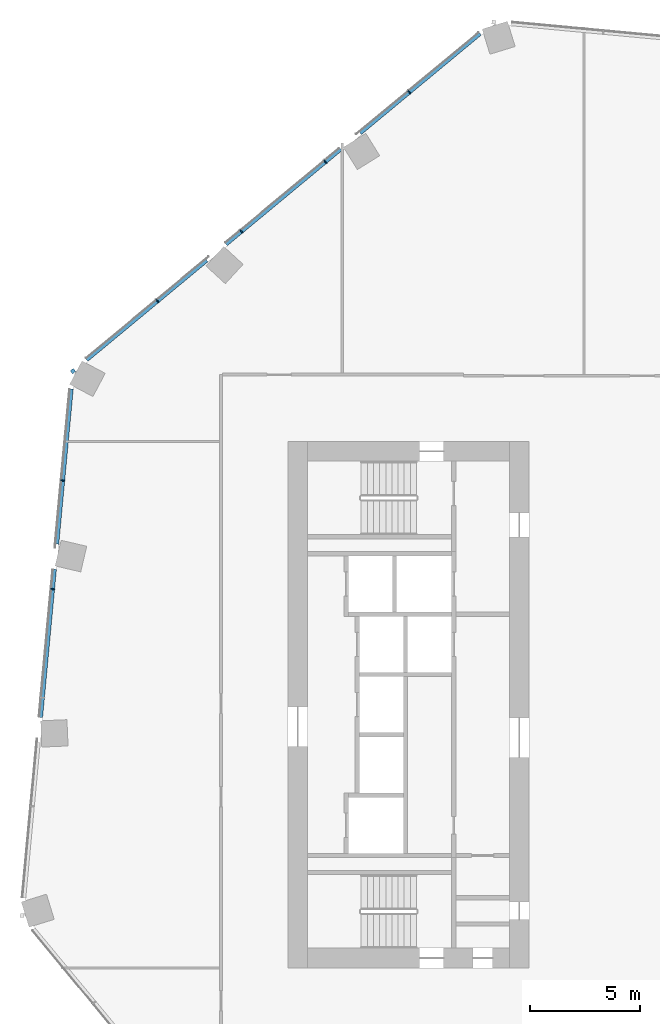
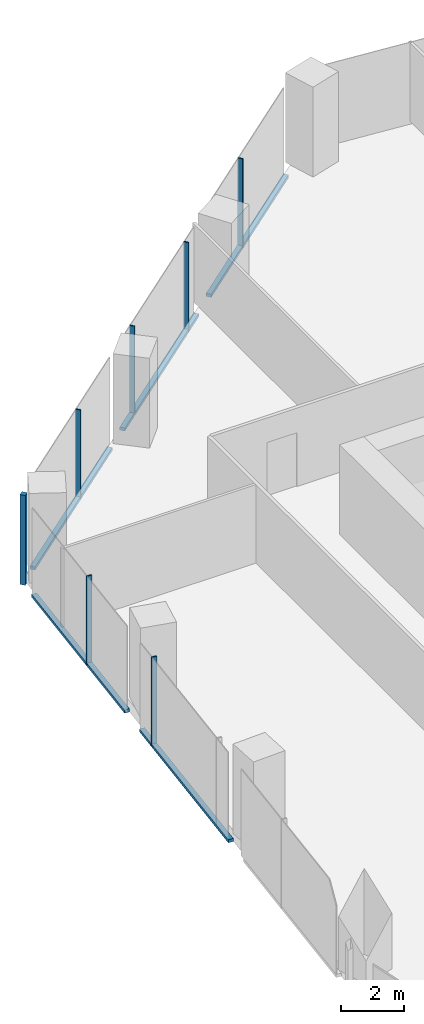
# One storey, part 10 of 24: 12 members, 2 elements without a shape of their own.
"""IFC4 building model written with IfcOpenShell, lengths in metres."""

from ifc_helpers import new_model, si_unit, direction, frame, origin, origin_2d, place, context, subcontext, project, spatial, rectangle, extrude, material, material_profile, profile_set, type_object, element, aggregate, save


model = new_model("IFC4")

# Units and contexts
model_context = context("Model", 3, precision=1e-05, world=origin(), true_north=direction((0.0, 1.0)))
body_context = subcontext(model_context, "Body", "Model", "MODEL_VIEW")
ifc_project = project(units=[si_unit("LENGTHUNIT", "METRE"), si_unit("AREAUNIT", "SQUARE_METRE"), si_unit("VOLUMEUNIT", "CUBIC_METRE"), si_unit("PLANEANGLEUNIT", "RADIAN"), si_unit("MASSUNIT", "GRAM", prefix="KILO")], contexts=[model_context])

# Site, building, storey
site_placement = place(None, origin())
site = spatial("IfcSite", under=ifc_project, at=site_placement, CompositionType="ELEMENT")
building_placement = place(site_placement, origin())
building = spatial("IfcBuilding", under=site, at=building_placement, Name="Orlundy Tower", CompositionType="ELEMENT")
storey_placement = place(building_placement, frame((0.0, 0.0, 170.60009765625)))
storey = spatial("IfcBuildingStorey", under=building, at=storey_placement, Name="L44", CompositionType="ELEMENT", Elevation=170.60009765625)

# Curtain wall, member
ifc_material_1 = material(Name="Aluminium bronze anodised", Category="aluminium")
curtain_wall_type = type_object("IfcCurtainWallType", Name="CW1 wall", PredefinedType="NOTDEFINED", material=ifc_material_1)
curtain_wall_1_placement = place(storey_placement, origin())
curtain_wall_1 = element("IfcCurtainWall", 1, at=curtain_wall_1_placement, inside=storey, type_object=curtain_wall_type, Name="CW1 run 03", PredefinedType="NOTDEFINED")
ifc_material_2 = material(Name="Aluminium bronze anodised", Category="aluminium")
ifc_material_profile_1 = material_profile(ifc_material_2, rectangle(XDim=0.179931640625, YDim=0.179931640625, at=origin_2d()), Name="CW1 corner post 180x180")
ifc_profile_set_1 = profile_set([ifc_material_profile_1], Name="Aluminium bronze anodised")
member_type_1 = type_object("IfcMemberType", Name="CW1 corner post 180x180", PredefinedType="MULLION", material=ifc_profile_set_1)
member_1_placement = place(storey_placement, frame((-28.801025390625, 15.20654296875, -0.420166015625), z_axis=(0.0, 0.0, 1.0), x_axis=(-0.638318424445, 0.769772426769, 0.0)))
member_1 = element("IfcMember", 2, at=member_1_placement, type_object=member_type_1, Name="CW1 mullion 14", PredefinedType="MULLION", context=body_context, shape_type="SweptSolid", body=[
    extrude(rectangle(XDim=0.179931640625, YDim=0.179931640625, at=origin_2d()), origin(), (0.0, 0.0, 1.0), 3.5),
])

# Curtain wall, members
curtain_wall_2_placement = place(storey_placement, origin())
curtain_wall_2 = element("IfcCurtainWall", 3, at=curtain_wall_2_placement, inside=storey, type_object=curtain_wall_type, Name="CW1 run 02", PredefinedType="NOTDEFINED")
ifc_material_3 = material(Name="Aluminium bronze anodised", Category="aluminium")
ifc_material_profile_2 = material_profile(ifc_material_3, rectangle(XDim=0.179931640625, YDim=0.050048828125, at=origin_2d()), Name="CW1 mullion 50x180")
ifc_profile_set_2 = profile_set([ifc_material_profile_2], Name="Aluminium bronze anodised")
member_type_2 = type_object("IfcMemberType", Name="CW1 mullion 50x180", PredefinedType="MULLION", material=ifc_profile_set_2)
member_2_placement = place(storey_placement, frame((-29.728515625, 5.271484375, -0.420166015625), z_axis=(0.0, 0.0, 1.0), x_axis=(-0.995670958136, 0.092948066811, 0.0)))
member_2 = element("IfcMember", 4, at=member_2_placement, type_object=member_type_2, Name="CW1 mullion 12", PredefinedType="MULLION", context=body_context, shape_type="SweptSolid", body=[
    extrude(rectangle(XDim=0.179931640625, YDim=0.050048828125, at=origin_2d()), origin(), (0.0, 0.0, 1.0), 3.5),
])
member_3_placement = place(storey_placement, frame((-29.2666015625, 10.220458984375, -0.420166015625), z_axis=(0.0, 0.0, 1.0), x_axis=(-0.995670958136, 0.092948066811, 0.0)))
member_3 = element("IfcMember", 5, at=member_3_placement, type_object=member_type_2, Name="CW1 mullion 13", PredefinedType="MULLION", context=body_context, shape_type="SweptSolid", body=[
    extrude(rectangle(XDim=0.179931640625, YDim=0.050048828125, at=origin_2d()), origin(), (0.0, 0.0, 1.0), 3.5),
])

# Member
member_4_placement = place(storey_placement, frame((-24.9462890625, 18.403076171875, -0.420166015625), z_axis=(0.0, 0.0, 1.0), x_axis=(-0.638318424445, 0.769772426769, 0.0)))
member_4 = element("IfcMember", 6, at=member_4_placement, type_object=member_type_2, Name="CW1 mullion 15", PredefinedType="MULLION", context=body_context, shape_type="SweptSolid", body=[
    extrude(rectangle(XDim=0.179931640625, YDim=0.050048828125, at=origin_2d()), origin(), (0.0, 0.0, 1.0), 3.5),
])

member_5_placement = place(storey_placement, frame((-21.1201171875, 21.575927734375, -0.420166015625), z_axis=(0.0, 0.0, 1.0), x_axis=(-0.638318424445, 0.769772426769, 0.0)))
member_5 = element("IfcMember", 7, at=member_5_placement, type_object=member_type_2, Name="CW1 mullion 16", PredefinedType="MULLION", context=body_context, shape_type="SweptSolid", body=[
    extrude(rectangle(XDim=0.179931640625, YDim=0.050048828125, at=origin_2d()), origin(), (0.0, 0.0, 1.0), 3.5),
])

member_6_placement = place(storey_placement, frame((-17.2939453125, 24.748779296875, -0.420166015625), z_axis=(0.0, 0.0, 1.0), x_axis=(-0.638318424445, 0.769772426769, 0.0)))
member_6 = element("IfcMember", 8, at=member_6_placement, type_object=member_type_2, Name="CW1 mullion 17", PredefinedType="MULLION", context=body_context, shape_type="SweptSolid", body=[
    extrude(rectangle(XDim=0.179931640625, YDim=0.050048828125, at=origin_2d()), origin(), (0.0, 0.0, 1.0), 3.5),
])

member_7_placement = place(storey_placement, frame((-13.467529296875, 27.92138671875, -0.420166015625), z_axis=(0.0, 0.0, 1.0), x_axis=(-0.638318424445, 0.769772426769, 0.0)))
member_7 = element("IfcMember", 9, at=member_7_placement, type_object=member_type_2, Name="CW1 mullion 18", PredefinedType="MULLION", context=body_context, shape_type="SweptSolid", body=[
    extrude(rectangle(XDim=0.179931640625, YDim=0.050048828125, at=origin_2d()), origin(), (0.0, 0.0, 1.0), 3.5),
])

ifc_material_4 = material(Name="Aluminium bronze anodised", Category="aluminium")
ifc_material_profile_3 = material_profile(ifc_material_4, rectangle(XDim=0.179931640625, YDim=0.1201171875, at=origin_2d()), Name="CW1 transom 180x120")
ifc_profile_set_3 = profile_set([ifc_material_profile_3], Name="Aluminium bronze anodised")
member_type_3 = type_object("IfcMemberType", Name="CW1 transom 180x120", PredefinedType="USERDEFINED", material=ifc_profile_set_3)
member_8_placement = place(storey_placement, frame((-30.275390625, -0.5859375, -0.360107421875), z_axis=(0.092955574003, 0.995670257295, 0.0), x_axis=(-0.995670257295, 0.092955574003, 0.0)))
member_8 = element("IfcMember", 10, at=member_8_placement, type_object=member_type_3, Name="CW1 transom", ObjectType="TRANSOM", PredefinedType="USERDEFINED", context=body_context, shape_type="SweptSolid", body=[
    extrude(rectangle(XDim=0.179931640625, YDim=0.1201171875, at=origin_2d()), origin(), (0.0, 0.0, 1.0), 6.79443359375),
])

member_9_placement = place(storey_placement, frame((-29.537353515625, 7.31982421875, -0.360107421875), z_axis=(0.092928997665, 0.995672738099, 0.0), x_axis=(-0.995672738099, 0.092928997665, 0.0)))
member_9 = element("IfcMember", 11, at=member_9_placement, type_object=member_type_3, Name="CW1 transom", ObjectType="TRANSOM", PredefinedType="USERDEFINED", context=body_context, shape_type="SweptSolid", body=[
    extrude(rectangle(XDim=0.179931640625, YDim=0.1201171875, at=origin_2d()), origin(), (0.0, 0.0, 1.0), 7.109130859375),
])

aggregate(curtain_wall_2, [member_2, member_3, member_8, member_9])

member_10_placement = place(storey_placement, frame((-28.17626953125, 15.724609375, -0.360107421875), z_axis=(0.769770309504, 0.638320977726, 0.0), x_axis=(-0.638320977726, 0.769770309504, 0.0)))
member_10 = element("IfcMember", 12, at=member_10_placement, type_object=member_type_3, Name="CW1 transom", ObjectType="TRANSOM", PredefinedType="USERDEFINED", context=body_context, shape_type="SweptSolid", body=[
    extrude(rectangle(XDim=0.179931640625, YDim=0.1201171875, at=origin_2d()), origin(), (0.0, 0.0, 1.0), 7.10791015625),
])

member_11_placement = place(storey_placement, frame((-21.822021484375, 20.99365234375, -0.360107421875), z_axis=(0.769750639543, 0.638344697576, 0.0), x_axis=(-0.638344697576, 0.769750639543, 0.0)))
member_11 = element("IfcMember", 13, at=member_11_placement, type_object=member_type_3, Name="CW1 transom", ObjectType="TRANSOM", PredefinedType="USERDEFINED", context=body_context, shape_type="SweptSolid", body=[
    extrude(rectangle(XDim=0.179931640625, YDim=0.1201171875, at=origin_2d()), origin(), (0.0, 0.0, 1.0), 6.79443359375),
])

member_12_placement = place(storey_placement, frame((-15.70849609375, 26.063232421875, -0.360107421875), z_axis=(0.769773191659, 0.638317502035, 0.0), x_axis=(-0.638317502035, 0.769773191659, 0.0)))
member_12 = element("IfcMember", 14, at=member_12_placement, type_object=member_type_3, Name="CW1 transom", ObjectType="TRANSOM", PredefinedType="USERDEFINED", context=body_context, shape_type="SweptSolid", body=[
    extrude(rectangle(XDim=0.179931640625, YDim=0.1201171875, at=origin_2d()), origin(), (0.0, 0.0, 1.0), 7.107421875),
])

aggregate(curtain_wall_1, [member_1, member_4, member_5, member_6, member_7, member_10, member_11, member_12])

save(model, "model.ifc")
